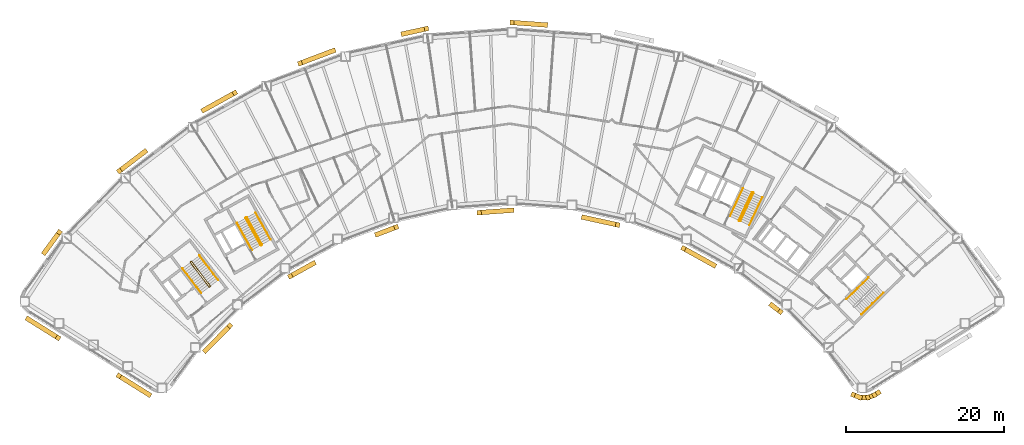
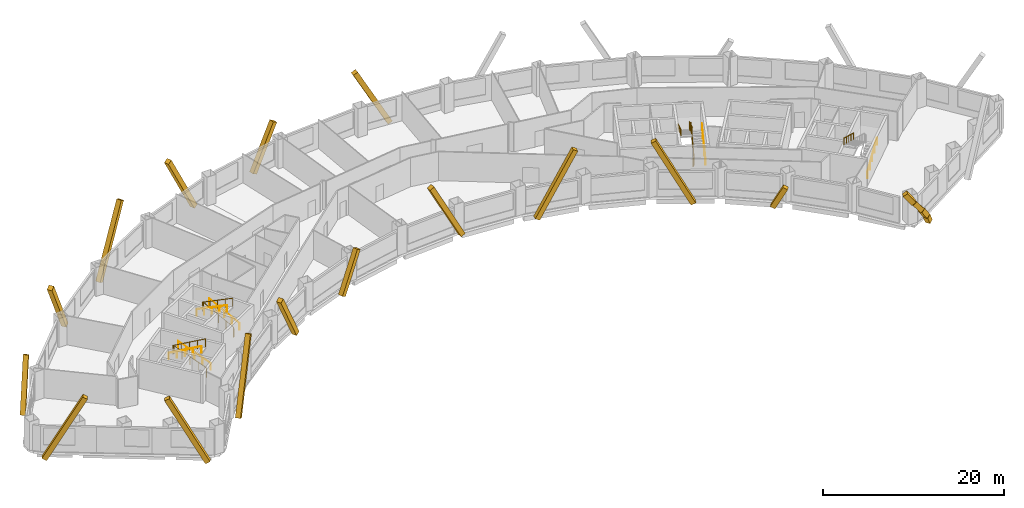
# One storey, part 11 of 12: 19 coverings, 11 railings.
"""IFC4 building model written with IfcOpenShell, lengths in metres."""

from ifc_helpers import new_model, si_unit, direction, frame, origin, origin_2d, place, context, subcontext, project, spatial, rectangle, circle, extrude, material, material_profile, profile_set, type_object, element, save


model = new_model("IFC4")

# Units and contexts
model_context = context("Model", 3, precision=1e-05, world=origin(), true_north=direction((0.0, 1.0)))
body_context = subcontext(model_context, "Body", "Model", "MODEL_VIEW")
ifc_project = project(units=[si_unit("LENGTHUNIT", "METRE"), si_unit("AREAUNIT", "SQUARE_METRE"), si_unit("VOLUMEUNIT", "CUBIC_METRE"), si_unit("PLANEANGLEUNIT", "RADIAN"), si_unit("MASSUNIT", "GRAM", prefix="KILO")], contexts=[model_context])

# Site, building, storey
site_placement = place(None, origin())
site = spatial("IfcSite", under=ifc_project, at=site_placement, CompositionType="ELEMENT")
building_placement = place(site_placement, origin())
building = spatial("IfcBuilding", under=site, at=building_placement, Name="Tuul Gate Civic Tower", CompositionType="ELEMENT")
storey_placement = place(building_placement, frame((0.0, 0.0, 82.199951171875)))
storey = spatial("IfcBuildingStorey", under=building, at=storey_placement, Name="Level 18", CompositionType="ELEMENT", Elevation=82.199951171875)

# Railings
ifc_material_1 = material(Name="Painted steel", Category="steel")
railing_type_1 = type_object("IfcRailingType", Name="Stair guard", PredefinedType="GUARDRAIL", material=ifc_material_1)
railing_1_placement = place(storey_placement, frame((-33.382080078125, -13.515380859375, 0.0)))
element("IfcRailing", 1, at=railing_1_placement, inside=storey, type_object=railing_type_1, Name="Level 18 ST-1 stair guard 1", PredefinedType="GUARDRAIL", context=body_context, shape_type="SweptSolid", body=[
    extrude(circle(Radius=0.02392578125, at=origin_2d()), frame((0.0, 0.0, 1.076171875), z_axis=(-0.795879841968, -0.605454603706, 0.0), x_axis=(0.605454603706, -0.795879841968, 0.0)), (0.0, 0.0, 1.0), 0.10009765625),
    extrude(circle(Radius=0.02392578125, at=origin_2d()), frame((-0.07958984375, -0.060546875, 1.076171875), z_axis=(0.408676696321, 0.599019267211, 0.688592241747), x_axis=(-0.826063974707, 0.563576356576, 0.0)), (0.0, 0.0, 1.0), 0.218017578125),
    extrude(circle(Radius=0.02392578125, at=origin_2d()), frame((0.009521484375, 0.070068359375, 1.22607421875), z_axis=(-0.541824460341, 0.711645023348, 0.447199748346), x_axis=(-0.795637165283, -0.60577347352, 0.0)), (0.0, 0.0, 1.0), 4.3603515625),
    extrude(circle(Radius=0.02392578125, at=origin_2d()), frame((-2.35302734375, 3.173095703125, 3.17626953125), z_axis=(-0.990893089246, 0.134650977284, 0.0), x_axis=(-0.134650977284, -0.990893089246, 0.0)), (0.0, 0.0, 1.0), 0.07080078125),
    extrude(circle(Radius=0.02392578125, at=origin_2d()), frame((-2.423095703125, 3.1826171875, 3.17626953125), z_axis=(-0.793802879778, -0.60817512943, 0.0), x_axis=(0.60817512943, -0.793802879778, 0.0)), (0.0, 0.0, 1.0), 0.099853515625),
    extrude(circle(Radius=0.02392578125, at=origin_2d()), frame((-2.50244140625, 3.121826171875, 3.17626953125), z_axis=(-0.057447065493, -0.422751481959, 0.904423031091), x_axis=(0.990893089246, -0.134650977284, 0.0)), (0.0, 0.0, 1.0), 0.165771484375),
    extrude(circle(Radius=0.02392578125, at=origin_2d()), frame((-2.511962890625, 3.0517578125, 3.326171875), z_axis=(0.541806494602, -0.71163897684, 0.447231136047), x_axis=(0.795644365679, 0.605764016233, 0.0)), (0.0, 0.0, 1.0), 4.360107421875),
    extrude(circle(Radius=0.02099609375, at=origin_2d()), origin(), (0.0, 0.0, 1.0), 1.052001953125),
    extrude(circle(Radius=0.02099609375, at=origin_2d()), frame((-0.07958984375, -0.060546875, 0.0)), (0.0, 0.0, 1.0), 1.052001953125),
    extrude(circle(Radius=0.02099609375, at=origin_2d()), frame((0.009521484375, 0.070068359375, 0.150146484375)), (0.0, 0.0, 1.0), 1.052001953125),
    extrude(circle(Radius=0.02099609375, at=origin_2d()), frame((-0.5810546875, 0.845703125, 0.6376953125)), (0.0, 0.0, 1.0), 1.052001953125),
    extrude(circle(Radius=0.02099609375, at=origin_2d()), frame((-1.171875, 1.62158203125, 1.125)), (0.0, 0.0, 1.0), 1.052001953125),
    extrude(circle(Radius=0.02099609375, at=origin_2d()), frame((-1.762451171875, 2.3974609375, 1.612548828125)), (0.0, 0.0, 1.0), 1.052001953125),
    extrude(circle(Radius=0.02099609375, at=origin_2d()), frame((-2.35302734375, 3.173095703125, 2.10009765625)), (0.0, 0.0, 1.0), 1.052001953125),
    extrude(circle(Radius=0.02099609375, at=origin_2d()), frame((-2.423095703125, 3.1826171875, 2.10009765625)), (0.0, 0.0, 1.0), 1.052001953125),
    extrude(circle(Radius=0.02099609375, at=origin_2d()), frame((-2.50244140625, 3.121826171875, 2.10009765625)), (0.0, 0.0, 1.0), 1.052001953125),
    extrude(circle(Radius=0.02099609375, at=origin_2d()), frame((-2.511962890625, 3.0517578125, 2.25)), (0.0, 0.0, 1.0), 1.052001953125),
    extrude(circle(Radius=0.02099609375, at=origin_2d()), frame((-1.92138671875, 2.276123046875, 2.737548828125)), (0.0, 0.0, 1.0), 1.052001953125),
    extrude(circle(Radius=0.02099609375, at=origin_2d()), frame((-1.330810546875, 1.50048828125, 3.22509765625)), (0.0, 0.0, 1.0), 1.052001953125),
    extrude(circle(Radius=0.02099609375, at=origin_2d()), frame((-0.740234375, 0.724609375, 3.71240234375)), (0.0, 0.0, 1.0), 1.052001953125),
    extrude(circle(Radius=0.02099609375, at=origin_2d()), frame((-0.149658203125, -0.051025390625, 4.199951171875)), (0.0, 0.0, 1.0), 1.052001953125),
])
railing_2_placement = place(storey_placement, frame((-26.857666015625, -8.247314453125, 0.0)))
element("IfcRailing", 2, at=railing_2_placement, inside=storey, type_object=railing_type_1, Name="Level 18 ST-2 stair guard 1", PredefinedType="GUARDRAIL", context=body_context, shape_type="SweptSolid", body=[
    extrude(circle(Radius=0.02392578125, at=origin_2d()), frame((0.0, 0.0, 1.076171875), z_axis=(-0.874616555828, -0.48481530532, 0.0), x_axis=(0.48481530532, -0.874616555828, 0.0)), (0.0, 0.0, 1.0), 0.10009765625),
    extrude(circle(Radius=0.02392578125, at=origin_2d()), frame((-0.087646484375, -0.048583984375, 1.076171875), z_axis=(0.490435707169, 0.534104639999, 0.688625479244), x_axis=(-0.736576986774, 0.676353711126, 0.0)), (0.0, 0.0, 1.0), 0.218017578125),
    extrude(circle(Radius=0.02392578125, at=origin_2d()), frame((0.019287109375, 0.06787109375, 1.22607421875), z_axis=(-0.43354991378, 0.782327185242, 0.447212083348), x_axis=(-0.874667644053, -0.484723129681, 0.0)), (0.0, 0.0, 1.0), 4.3603515625),
    extrude(circle(Radius=0.02392578125, at=origin_2d()), frame((-1.87109375, 3.47900390625, 3.17626953125), z_axis=(-0.961263487578, 0.275631107549, 0.0), x_axis=(-0.275631107549, -0.961263487578, 0.0)), (0.0, 0.0, 1.0), 0.07080078125),
    extrude(circle(Radius=0.02392578125, at=origin_2d()), frame((-1.939208984375, 3.49853515625, 3.17626953125), z_axis=(-0.874042088414, -0.485850211157, 0.0), x_axis=(0.485850211157, -0.874042088414, 0.0)), (0.0, 0.0, 1.0), 0.10009765625),
    extrude(circle(Radius=0.02392578125, at=origin_2d()), frame((-2.026611328125, 3.449951171875, 3.17626953125), z_axis=(-0.117866478395, -0.409586012422, 0.90462522168), x_axis=(0.961000426733, -0.276546885391, 0.0)), (0.0, 0.0, 1.0), 0.165771484375),
    extrude(circle(Radius=0.02392578125, at=origin_2d()), frame((-2.046142578125, 3.382080078125, 3.326171875), z_axis=(0.433595379963, -0.782308193291, 0.447201226726), x_axis=(0.874641102302, 0.484771020343, 0.0)), (0.0, 0.0, 1.0), 4.3603515625),
    extrude(circle(Radius=0.02099609375, at=origin_2d()), origin(), (0.0, 0.0, 1.0), 1.052001953125),
    extrude(circle(Radius=0.02099609375, at=origin_2d()), frame((-0.087646484375, -0.048583984375, 0.0)), (0.0, 0.0, 1.0), 1.052001953125),
    extrude(circle(Radius=0.02099609375, at=origin_2d()), frame((0.019287109375, 0.06787109375, 0.150146484375)), (0.0, 0.0, 1.0), 1.052001953125),
    extrude(circle(Radius=0.02099609375, at=origin_2d()), frame((-0.453369140625, 0.920654296875, 0.6376953125)), (0.0, 0.0, 1.0), 1.052001953125),
    extrude(circle(Radius=0.02099609375, at=origin_2d()), frame((-0.92578125, 1.7734375, 1.125)), (0.0, 0.0, 1.0), 1.052001953125),
    extrude(circle(Radius=0.02099609375, at=origin_2d()), frame((-1.3984375, 2.626220703125, 1.612548828125)), (0.0, 0.0, 1.0), 1.052001953125),
    extrude(circle(Radius=0.02099609375, at=origin_2d()), frame((-1.87109375, 3.47900390625, 2.10009765625)), (0.0, 0.0, 1.0), 1.052001953125),
    extrude(circle(Radius=0.02099609375, at=origin_2d()), frame((-1.939208984375, 3.49853515625, 2.10009765625)), (0.0, 0.0, 1.0), 1.052001953125),
    extrude(circle(Radius=0.02099609375, at=origin_2d()), frame((-2.026611328125, 3.449951171875, 2.10009765625)), (0.0, 0.0, 1.0), 1.052001953125),
    extrude(circle(Radius=0.02099609375, at=origin_2d()), frame((-2.046142578125, 3.382080078125, 2.25)), (0.0, 0.0, 1.0), 1.052001953125),
    extrude(circle(Radius=0.02099609375, at=origin_2d()), frame((-1.573486328125, 2.529296875, 2.737548828125)), (0.0, 0.0, 1.0), 1.052001953125),
    extrude(circle(Radius=0.02099609375, at=origin_2d()), frame((-1.100830078125, 1.676513671875, 3.22509765625)), (0.0, 0.0, 1.0), 1.052001953125),
    extrude(circle(Radius=0.02099609375, at=origin_2d()), frame((-0.628173828125, 0.82373046875, 3.71240234375)), (0.0, 0.0, 1.0), 1.052001953125),
    extrude(circle(Radius=0.02099609375, at=origin_2d()), frame((-0.155517578125, -0.029052734375, 4.199951171875)), (0.0, 0.0, 1.0), 1.052001953125),
])
railing_3_placement = place(storey_placement, frame((33.645751953125, -5.238525390625, 0.0)))
element("IfcRailing", 3, at=railing_3_placement, inside=storey, type_object=railing_type_1, Name="Level 18 ST-4 stair guard 1", PredefinedType="GUARDRAIL", context=body_context, shape_type="SweptSolid", body=[
    extrude(circle(Radius=0.02392578125, at=origin_2d()), frame((0.0, 0.0, 1.076171875), z_axis=(-0.906307919131, 0.422617978463, 0.0), x_axis=(-0.422617978463, -0.906307919131, 0.0)), (0.0, 0.0, 1.0), 0.099853515625),
    extrude(circle(Radius=0.02392578125, at=origin_2d()), frame((-0.090576171875, 0.042236328125, 1.076171875), z_axis=(0.720179819621, -0.082882280952, 0.688818956559), x_axis=(0.114330889033, 0.993442724979, 0.0)), (0.0, 0.0, 1.0), 0.218017578125),
    extrude(circle(Radius=0.02392578125, at=origin_2d()), frame((0.06640625, 0.024169921875, 1.22607421875), z_axis=(0.377946903738, 0.810654114417, 0.447209173356), x_axis=(-0.906336612539, 0.422556439746, 0.0)), (0.0, 0.0, 1.0), 4.3603515625),
    extrude(circle(Radius=0.02392578125, at=origin_2d()), frame((1.71435546875, 3.558837890625, 3.17626953125), z_axis=(-0.342020437038, 0.939692513883, 0.0), x_axis=(-0.939692513883, -0.342020437038, 0.0)), (0.0, 0.0, 1.0), 0.070556640625),
    extrude(circle(Radius=0.02392578125, at=origin_2d()), frame((1.690185546875, 3.625244140625, 3.17626953125), z_axis=(-0.906307919131, 0.422617978463, 0.0), x_axis=(-0.422617978463, -0.906307919131, 0.0)), (0.0, 0.0, 1.0), 0.099853515625),
    extrude(circle(Radius=0.02392578125, at=origin_2d()), frame((1.599609375, 3.66748046875, 3.17626953125), z_axis=(-0.40070210376, -0.145843780413, 0.904526072458), x_axis=(0.342020437038, -0.939692513883, 0.0)), (0.0, 0.0, 1.0), 0.165771484375),
    extrude(circle(Radius=0.02392578125, at=origin_2d()), frame((1.533203125, 3.643310546875, 3.326171875), z_axis=(-0.377946903738, -0.810654114417, 0.447209173356), x_axis=(0.906336612539, -0.422556439746, 0.0)), (0.0, 0.0, 1.0), 4.3603515625),
    extrude(circle(Radius=0.02099609375, at=origin_2d()), origin(), (0.0, 0.0, 1.0), 1.052001953125),
    extrude(circle(Radius=0.02099609375, at=origin_2d()), frame((-0.090576171875, 0.042236328125, 0.0)), (0.0, 0.0, 1.0), 1.052001953125),
    extrude(circle(Radius=0.02099609375, at=origin_2d()), frame((0.06640625, 0.024169921875, 0.150146484375)), (0.0, 0.0, 1.0), 1.052001953125),
    extrude(circle(Radius=0.02099609375, at=origin_2d()), frame((0.478515625, 0.90771484375, 0.6376953125)), (0.0, 0.0, 1.0), 1.052001953125),
    extrude(circle(Radius=0.02099609375, at=origin_2d()), frame((0.890380859375, 1.79150390625, 1.125)), (0.0, 0.0, 1.0), 1.052001953125),
    extrude(circle(Radius=0.02099609375, at=origin_2d()), frame((1.30224609375, 2.67529296875, 1.612548828125)), (0.0, 0.0, 1.0), 1.052001953125),
    extrude(circle(Radius=0.02099609375, at=origin_2d()), frame((1.71435546875, 3.558837890625, 2.10009765625)), (0.0, 0.0, 1.0), 1.052001953125),
    extrude(circle(Radius=0.02099609375, at=origin_2d()), frame((1.690185546875, 3.625244140625, 2.10009765625)), (0.0, 0.0, 1.0), 1.052001953125),
    extrude(circle(Radius=0.02099609375, at=origin_2d()), frame((1.599609375, 3.66748046875, 2.10009765625)), (0.0, 0.0, 1.0), 1.052001953125),
    extrude(circle(Radius=0.02099609375, at=origin_2d()), frame((1.533203125, 3.643310546875, 2.25)), (0.0, 0.0, 1.0), 1.052001953125),
    extrude(circle(Radius=0.02099609375, at=origin_2d()), frame((1.12109375, 2.759765625, 2.737548828125)), (0.0, 0.0, 1.0), 1.052001953125),
    extrude(circle(Radius=0.02099609375, at=origin_2d()), frame((0.709228515625, 1.8759765625, 3.22509765625)), (0.0, 0.0, 1.0), 1.052001953125),
    extrude(circle(Radius=0.02099609375, at=origin_2d()), frame((0.29736328125, 0.9921875, 3.71240234375)), (0.0, 0.0, 1.0), 1.052001953125),
    extrude(circle(Radius=0.02099609375, at=origin_2d()), frame((-0.11474609375, 0.108642578125, 4.199951171875)), (0.0, 0.0, 1.0), 1.052001953125),
])
ifc_material_2 = material(Name="Painted steel", Category="steel")
railing_type_2 = type_object("IfcRailingType", Name="Stair handrail", PredefinedType="HANDRAIL", material=ifc_material_2)
railing_4_placement = place(storey_placement, frame((-32.3779296875, -12.688232421875, 0.150146484375)))
element("IfcRailing", 4, at=railing_4_placement, inside=storey, type_object=railing_type_2, Name="Level 18 ST-1 stair handrail 1", PredefinedType="HANDRAIL", context=body_context, shape_type="SweptSolid", body=[
    extrude(circle(Radius=0.02392578125, at=origin_2d()), frame((0.0, 0.0, 0.8759765625), z_axis=(-0.541824460341, 0.711645023348, 0.447199748346), x_axis=(-0.795637165283, -0.60577347352, 0.0)), (0.0, 0.0, 1.0), 4.3603515625),
    extrude(circle(Radius=0.02099609375, at=origin_2d()), origin(), (0.0, 0.0, 1.0), 0.851806640625),
    extrude(circle(Radius=0.02099609375, at=origin_2d()), frame((-0.590576171875, 0.77587890625, 0.487548828125)), (0.0, 0.0, 1.0), 0.851806640625),
    extrude(circle(Radius=0.02099609375, at=origin_2d()), frame((-1.18115234375, 1.551513671875, 0.97509765625)), (0.0, 0.0, 1.0), 0.851806640625),
    extrude(circle(Radius=0.02099609375, at=origin_2d()), frame((-1.77197265625, 2.3271484375, 1.46240234375)), (0.0, 0.0, 1.0), 0.851806640625),
    extrude(circle(Radius=0.02099609375, at=origin_2d()), frame((-2.362548828125, 3.10302734375, 1.949951171875)), (0.0, 0.0, 1.0), 0.851806640625),
])
railing_5_placement = place(storey_placement, frame((-36.888671875, -11.220703125, 2.25)))
element("IfcRailing", 5, at=railing_5_placement, inside=storey, type_object=railing_type_2, Name="Level 18 ST-1 stair handrail 2", PredefinedType="HANDRAIL", context=body_context, shape_type="SweptSolid", body=[
    extrude(circle(Radius=0.02392578125, at=origin_2d()), frame((0.0, 0.0, 0.8759765625), z_axis=(0.541824460341, -0.711645023348, 0.447199748346), x_axis=(0.795637165283, 0.60577347352, 0.0)), (0.0, 0.0, 1.0), 4.3603515625),
    extrude(circle(Radius=0.02099609375, at=origin_2d()), origin(), (0.0, 0.0, 1.0), 0.851806640625),
    extrude(circle(Radius=0.02099609375, at=origin_2d()), frame((0.590576171875, -0.77587890625, 0.487548828125)), (0.0, 0.0, 1.0), 0.851806640625),
    extrude(circle(Radius=0.02099609375, at=origin_2d()), frame((1.18115234375, -1.551513671875, 0.97509765625)), (0.0, 0.0, 1.0), 0.851806640625),
    extrude(circle(Radius=0.02099609375, at=origin_2d()), frame((1.77197265625, -2.3271484375, 1.46240234375)), (0.0, 0.0, 1.0), 0.851806640625),
    extrude(circle(Radius=0.02099609375, at=origin_2d()), frame((2.362548828125, -3.10302734375, 1.949951171875)), (0.0, 0.0, 1.0), 0.851806640625),
])
railing_6_placement = place(storey_placement, frame((-25.744873046875, -7.573486328125, 0.150146484375)))
element("IfcRailing", 6, at=railing_6_placement, inside=storey, type_object=railing_type_2, Name="Level 18 ST-2 stair handrail 1", PredefinedType="HANDRAIL", context=body_context, shape_type="SweptSolid", body=[
    extrude(circle(Radius=0.02392578125, at=origin_2d()), frame((0.0, 0.0, 0.8759765625), z_axis=(-0.433595379963, 0.782308193291, 0.447201226726), x_axis=(-0.874641102302, -0.484771020343, 0.0)), (0.0, 0.0, 1.0), 4.3603515625),
    extrude(circle(Radius=0.02099609375, at=origin_2d()), origin(), (0.0, 0.0, 1.0), 0.851806640625),
    extrude(circle(Radius=0.02099609375, at=origin_2d()), frame((-0.47265625, 0.852783203125, 0.487548828125)), (0.0, 0.0, 1.0), 0.851806640625),
    extrude(circle(Radius=0.02099609375, at=origin_2d()), frame((-0.9453125, 1.70556640625, 0.97509765625)), (0.0, 0.0, 1.0), 0.851806640625),
    extrude(circle(Radius=0.02099609375, at=origin_2d()), frame((-1.41796875, 2.558349609375, 1.46240234375)), (0.0, 0.0, 1.0), 0.851806640625),
    extrude(circle(Radius=0.02099609375, at=origin_2d()), frame((-1.890625, 3.4111328125, 1.949951171875)), (0.0, 0.0, 1.0), 0.851806640625),
])
railing_7_placement = place(storey_placement, frame((-29.9970703125, -5.47119140625, 2.25)))
element("IfcRailing", 7, at=railing_7_placement, inside=storey, type_object=railing_type_2, Name="Level 18 ST-2 stair handrail 2", PredefinedType="HANDRAIL", context=body_context, shape_type="SweptSolid", body=[
    extrude(circle(Radius=0.02392578125, at=origin_2d()), frame((0.0, 0.0, 0.8759765625), z_axis=(0.433595379963, -0.782308193291, 0.447201226726), x_axis=(0.874641102302, 0.484771020343, 0.0)), (0.0, 0.0, 1.0), 4.3603515625),
    extrude(circle(Radius=0.02099609375, at=origin_2d()), origin(), (0.0, 0.0, 1.0), 0.851806640625),
    extrude(circle(Radius=0.02099609375, at=origin_2d()), frame((0.47265625, -0.852783203125, 0.487548828125)), (0.0, 0.0, 1.0), 0.851806640625),
    extrude(circle(Radius=0.02099609375, at=origin_2d()), frame((0.9453125, -1.70556640625, 0.97509765625)), (0.0, 0.0, 1.0), 0.851806640625),
    extrude(circle(Radius=0.02099609375, at=origin_2d()), frame((1.41796875, -2.558349609375, 1.46240234375)), (0.0, 0.0, 1.0), 0.851806640625),
    extrude(circle(Radius=0.02099609375, at=origin_2d()), frame((1.890625, -3.4111328125, 1.949951171875)), (0.0, 0.0, 1.0), 0.851806640625),
])
railing_8_placement = place(storey_placement, frame((49.05126953125, -17.028076171875, 0.150146484375)))
element("IfcRailing", 8, at=railing_8_placement, inside=storey, type_object=railing_type_2, Name="Level 18 ST-3 stair handrail 1", PredefinedType="HANDRAIL", context=body_context, shape_type="SweptSolid", body=[
    extrude(circle(Radius=0.02392578125, at=origin_2d()), frame((0.0, 0.0, 0.8759765625), z_axis=(0.638753653487, 0.626099522554, 0.447205945863), x_axis=(-0.699997553204, 0.714145241186, 0.0)), (0.0, 0.0, 1.0), 4.3603515625),
    extrude(circle(Radius=0.02099609375, at=origin_2d()), origin(), (0.0, 0.0, 1.0), 0.851806640625),
    extrude(circle(Radius=0.02099609375, at=origin_2d()), frame((0.6962890625, 0.6826171875, 0.487548828125)), (0.0, 0.0, 1.0), 0.851806640625),
    extrude(circle(Radius=0.02099609375, at=origin_2d()), frame((1.392578125, 1.364990234375, 0.97509765625)), (0.0, 0.0, 1.0), 0.851806640625),
    extrude(circle(Radius=0.02099609375, at=origin_2d()), frame((2.0888671875, 2.04736328125, 1.46240234375)), (0.0, 0.0, 1.0), 0.851806640625),
    extrude(circle(Radius=0.02099609375, at=origin_2d()), frame((2.78515625, 2.72998046875, 1.949951171875)), (0.0, 0.0, 1.0), 0.851806640625),
])
railing_9_placement = place(storey_placement, frame((49.9462890625, -12.369873046875, 2.25)))
element("IfcRailing", 9, at=railing_9_placement, inside=storey, type_object=railing_type_2, Name="Level 18 ST-3 stair handrail 2", PredefinedType="HANDRAIL", context=body_context, shape_type="SweptSolid", body=[
    extrude(circle(Radius=0.02392578125, at=origin_2d()), frame((0.0, 0.0, 0.8759765625), z_axis=(-0.638753653487, -0.626099522554, 0.447205945863), x_axis=(0.699997553204, -0.714145241186, 0.0)), (0.0, 0.0, 1.0), 4.3603515625),
    extrude(circle(Radius=0.02099609375, at=origin_2d()), origin(), (0.0, 0.0, 1.0), 0.851806640625),
    extrude(circle(Radius=0.02099609375, at=origin_2d()), frame((-0.6962890625, -0.6826171875, 0.487548828125)), (0.0, 0.0, 1.0), 0.851806640625),
    extrude(circle(Radius=0.02099609375, at=origin_2d()), frame((-1.392578125, -1.364990234375, 0.97509765625)), (0.0, 0.0, 1.0), 0.851806640625),
    extrude(circle(Radius=0.02099609375, at=origin_2d()), frame((-2.0888671875, -2.04736328125, 1.46240234375)), (0.0, 0.0, 1.0), 0.851806640625),
    extrude(circle(Radius=0.02099609375, at=origin_2d()), frame((-2.78515625, -2.72998046875, 1.949951171875)), (0.0, 0.0, 1.0), 0.851806640625),
])
railing_10_placement = place(storey_placement, frame((34.844970703125, -5.74267578125, 0.150146484375)))
element("IfcRailing", 10, at=railing_10_placement, inside=storey, type_object=railing_type_2, Name="Level 18 ST-4 stair handrail 1", PredefinedType="HANDRAIL", context=body_context, shape_type="SweptSolid", body=[
    extrude(circle(Radius=0.02392578125, at=origin_2d()), frame((0.0, 0.0, 0.8759765625), z_axis=(0.377994896215, 0.810636958585, 0.447199709091), x_axis=(-0.906312636903, 0.422607861012, 0.0)), (0.0, 0.0, 1.0), 4.3603515625),
    extrude(circle(Radius=0.02099609375, at=origin_2d()), origin(), (0.0, 0.0, 1.0), 0.851806640625),
    extrude(circle(Radius=0.02099609375, at=origin_2d()), frame((0.412109375, 0.8837890625, 0.487548828125)), (0.0, 0.0, 1.0), 0.851806640625),
    extrude(circle(Radius=0.02099609375, at=origin_2d()), frame((0.82421875, 1.767333984375, 0.97509765625)), (0.0, 0.0, 1.0), 0.851806640625),
    extrude(circle(Radius=0.02099609375, at=origin_2d()), frame((1.236083984375, 2.65087890625, 1.46240234375)), (0.0, 0.0, 1.0), 0.851806640625),
    extrude(circle(Radius=0.02099609375, at=origin_2d()), frame((1.648193359375, 3.53466796875, 1.949951171875)), (0.0, 0.0, 1.0), 0.851806640625),
])
railing_11_placement = place(storey_placement, frame((34.046142578125, -1.06689453125, 2.25)))
element("IfcRailing", 11, at=railing_11_placement, inside=storey, type_object=railing_type_2, Name="Level 18 ST-4 stair handrail 2", PredefinedType="HANDRAIL", context=body_context, shape_type="SweptSolid", body=[
    extrude(circle(Radius=0.02392578125, at=origin_2d()), frame((0.0, 0.0, 0.8759765625), z_axis=(-0.377994896215, -0.810636958585, 0.447199709091), x_axis=(0.906312636903, -0.422607861012, 0.0)), (0.0, 0.0, 1.0), 4.3603515625),
    extrude(circle(Radius=0.02099609375, at=origin_2d()), origin(), (0.0, 0.0, 1.0), 0.851806640625),
    extrude(circle(Radius=0.02099609375, at=origin_2d()), frame((-0.412109375, -0.8837890625, 0.487548828125)), (0.0, 0.0, 1.0), 0.851806640625),
    extrude(circle(Radius=0.02099609375, at=origin_2d()), frame((-0.82421875, -1.767333984375, 0.97509765625)), (0.0, 0.0, 1.0), 0.851806640625),
    extrude(circle(Radius=0.02099609375, at=origin_2d()), frame((-1.236083984375, -2.65087890625, 1.46240234375)), (0.0, 0.0, 1.0), 0.851806640625),
    extrude(circle(Radius=0.02099609375, at=origin_2d()), frame((-1.648193359375, -3.53466796875, 1.949951171875)), (0.0, 0.0, 1.0), 0.851806640625),
])

# Coverings
ifc_material_3 = material(Name="Terracotta baguette", Category="masonry")
ifc_material_profile = material_profile(ifc_material_3, rectangle(XDim=0.60009765625, YDim=0.60009765625, at=origin_2d()), Name="Terracotta baguette screen frame")
ifc_profile_set = profile_set([ifc_material_profile], Name="Terracotta baguette")
covering_type = type_object("IfcCoveringType", Name="Terracotta baguette screen frame", PredefinedType="CLADDING", material=ifc_profile_set)
covering_1_placement = place(storey_placement, frame((4.80810546875, 19.909912109375, 7.552734375), z_axis=(0.473916402308, -0.034305523673, -0.879901343714), x_axis=(0.072198379496, 0.99739029171, 0.0)))
element("IfcCovering", 12, at=covering_1_placement, inside=storey, type_object=covering_type, Name="Baguette 77", PredefinedType="CLADDING", context=body_context, shape_type="SweptSolid", body=[
    extrude(rectangle(XDim=0.60009765625, YDim=0.60009765625, at=origin_2d()), origin(), (0.0, 0.0, 1.0), 8.981201171875),
])
covering_2_placement = place(storey_placement, frame((-6.014404296875, 19.126220703125, 5.25439453125), z_axis=(-0.464037359849, -0.102267609126, -0.879892416599), x_axis=(0.21522186499, -0.976565178997, 0.0)))
element("IfcCovering", 13, at=covering_2_placement, inside=storey, type_object=covering_type, Name="Baguette 84", PredefinedType="CLADDING", context=body_context, shape_type="SweptSolid", body=[
    extrude(rectangle(XDim=0.60009765625, YDim=0.60009765625, at=origin_2d()), origin(), (0.0, 0.0, 1.0), 6.369140625),
])
covering_3_placement = place(storey_placement, frame((-22.021240234375, 14.744873046875, 8.050048828125), z_axis=(0.444449007562, 0.168071746228, -0.879895998284), x_axis=(-0.353711403676, 0.935354608108, 0.0)))
element("IfcCovering", 14, at=covering_3_placement, inside=storey, type_object=covering_type, Name="Baguette 98", PredefinedType="CLADDING", context=body_context, shape_type="SweptSolid", body=[
    extrude(rectangle(XDim=0.60009765625, YDim=0.60009765625, at=origin_2d()), origin(), (0.0, 0.0, 1.0), 9.54638671875),
])
covering_4_placement = place(storey_placement, frame((-30.263916015625, 11.0107421875, 8.050048828125), z_axis=(-0.415599156496, -0.23036842051, -0.879890750009), x_axis=(0.484806475071, -0.874621450531, 0.0)))
element("IfcCovering", 15, at=covering_4_placement, inside=storey, type_object=covering_type, Name="Baguette 103", PredefinedType="CLADDING", context=body_context, shape_type="SweptSolid", body=[
    extrude(rectangle(XDim=0.60009765625, YDim=0.60009765625, at=origin_2d()), origin(), (0.0, 0.0, 1.0), 9.546630859375),
])
covering_5_placement = place(storey_placement, frame((-44.885498046875, 1.117919921875, 7.222412109375), z_axis=(0.378046563043, 0.287861209305, -0.879895857672), x_axis=(-0.605811142547, 0.795608483845, 0.0)))
element("IfcCovering", 16, at=covering_5_placement, inside=storey, type_object=covering_type, Name="Baguette 119", PredefinedType="CLADDING", context=body_context, shape_type="SweptSolid", body=[
    extrude(rectangle(XDim=0.60009765625, YDim=0.60009765625, at=origin_2d()), origin(), (0.0, 0.0, 1.0), 8.60595703125),
])
covering_6_placement = place(storey_placement, frame((-52.481689453125, -6.630859375, 5.58447265625), z_axis=(-0.281340442681, -0.385256704378, -0.878877026121), x_axis=(0.807584108669, -0.589752411971, 0.0)))
element("IfcCovering", 17, at=covering_6_placement, inside=storey, type_object=covering_type, Name="Baguette 126", PredefinedType="CLADDING", context=body_context, shape_type="SweptSolid", body=[
    extrude(rectangle(XDim=0.60009765625, YDim=0.60009765625, at=origin_2d()), origin(), (0.0, 0.0, 1.0), 6.752197265625),
])
for number, where, z_axis, x_axis, name in (
    (18, (-52.63720703125, -20.0029296875, 8.050048828125), (-0.402314470661, 0.251382579131, -0.8803123682), (-0.529901976461, -0.848058898511, 0.0), "Baguette 151"),
    (19, (-44.9599609375, -24.80029296875, 8.050048828125), (0.402314470661, -0.251382579131, -0.8803123682), (0.529901976461, 0.848058898511, 0.0), "Baguette 155"),
):
    element("IfcCovering", number, at=place(storey_placement, frame(where, z_axis=z_axis, x_axis=x_axis)), inside=storey, type_object=covering_type, Name=name, PredefinedType="CLADDING", context=body_context, shape_type="SweptSolid", body=[
        extrude(rectangle(XDim=0.60009765625, YDim=0.60009765625, at=origin_2d()), origin(), (0.0, 0.0, 1.0), 9.5419921875),
    ])
covering_7_placement = place(storey_placement, frame((-30.899658203125, -18.470703125, 8.050048828125), z_axis=(-0.326356322385, -0.332861849455, -0.884700254333), x_axis=(0.714050130155, -0.700094573344, 0.0)))
element("IfcCovering", 20, at=covering_7_placement, inside=storey, type_object=covering_type, Name="Baguette 183", PredefinedType="CLADDING", context=body_context, shape_type="SweptSolid", body=[
    extrude(rectangle(XDim=0.60009765625, YDim=0.60009765625, at=origin_2d()), origin(), (0.0, 0.0, 1.0), 9.49462890625),
])
covering_8_placement = place(storey_placement, frame((-23.260986328125, -12.20458984375, 6.06201171875), z_axis=(0.407733343986, 0.225998265433, -0.884691078413), x_axis=(-0.48478990003, 0.874630637943, 0.0)))
element("IfcCovering", 21, at=covering_8_placement, inside=storey, type_object=covering_type, Name="Baguette 191", PredefinedType="CLADDING", context=body_context, shape_type="SweptSolid", body=[
    extrude(rectangle(XDim=0.60009765625, YDim=0.60009765625, at=origin_2d()), origin(), (0.0, 0.0, 1.0), 7.24755859375),
])
covering_9_placement = place(storey_placement, frame((-9.83447265625, -5.984619140625, 4.594970703125), z_axis=(-0.436053033654, -0.164890333772, -0.88468578019), x_axis=(0.353699371155, -0.935359158209, 0.0)))
element("IfcCovering", 22, at=covering_9_placement, inside=storey, type_object=covering_type, Name="Baguette 209", PredefinedType="CLADDING", context=body_context, shape_type="SweptSolid", body=[
    extrude(rectangle(XDim=0.60009765625, YDim=0.60009765625, at=origin_2d()), origin(), (0.0, 0.0, 1.0), 5.58935546875),
])
covering_10_placement = place(storey_placement, frame((0.655517578125, -4.15283203125, 8.050048828125), z_axis=(0.46493127376, 0.03367601442, -0.884706073638), x_axis=(-0.072242980808, 0.99738706214, 0.0)))
element("IfcCovering", 23, at=covering_10_placement, inside=storey, type_object=covering_type, Name="Baguette 216", PredefinedType="CLADDING", context=body_context, shape_type="SweptSolid", body=[
    extrude(rectangle(XDim=0.60009765625, YDim=0.60009765625, at=origin_2d()), origin(), (0.0, 0.0, 1.0), 8.931640625),
])
for number, where, z_axis, x_axis, name in (
    (24, (18.185546875, -5.705810546875, 8.050048828125), (-0.455234189587, 0.100308889154, -0.884703317156), (-0.215183772558, -0.976573573279, 0.0), "Baguette 232"),
    (25, (26.51025390625, -8.675537109375, 8.050048828125), (0.407692626751, -0.225998769884, -0.884709714033), (0.484827764604, 0.874609649312, 0.0), "Baguette 238"),
):
    element("IfcCovering", number, at=place(storey_placement, frame(where, z_axis=z_axis, x_axis=x_axis)), inside=storey, type_object=covering_type, Name=name, PredefinedType="CLADDING", context=body_context, shape_type="SweptSolid", body=[
        extrude(rectangle(XDim=0.60009765625, YDim=0.60009765625, at=origin_2d()), origin(), (0.0, 0.0, 1.0), 9.49462890625),
    ])
covering_11_placement = place(storey_placement, frame((38.7783203125, -16.69873046875, 2.343994140625), z_axis=(-0.370838431522, 0.282398476934, -0.884720271008), x_axis=(-0.60584625249, -0.795581748372, 0.0)))
element("IfcCovering", 26, at=covering_11_placement, inside=storey, type_object=covering_type, Name="Baguette 255", PredefinedType="CLADDING", context=body_context, shape_type="SweptSolid", body=[
    extrude(rectangle(XDim=0.60009765625, YDim=0.60009765625, at=origin_2d()), origin(), (0.0, 0.0, 1.0), 3.044921875),
])
covering_12_placement = place(storey_placement, frame((47.974853515625, -27.19140625, 4.61083984375), z_axis=(0.559872215963, -0.223011482189, -0.798003120673), x_axis=(0.370049373719, 0.929012088732, 0.0)))
element("IfcCovering", 27, at=covering_12_placement, inside=storey, type_object=covering_type, Name="Baguette 272", PredefinedType="CLADDING", context=body_context, shape_type="SweptSolid", body=[
    extrude(rectangle(XDim=0.60009765625, YDim=0.60009765625, at=origin_2d()), origin(), (0.0, 0.0, 1.0), 1.61474609375),
])
covering_13_placement = place(storey_placement, frame((48.87890625, -27.551513671875, 3.322265625), z_axis=(0.602872719251, -0.001813605573, -0.797835318357), x_axis=(0.003008259138, 0.999995475178, 0.0)))
element("IfcCovering", 28, at=covering_13_placement, inside=storey, type_object=covering_type, Name="Baguette 273", PredefinedType="CLADDING", context=body_context, shape_type="SweptSolid", body=[
    extrude(rectangle(XDim=0.60009765625, YDim=0.60009765625, at=origin_2d()), origin(), (0.0, 0.0, 1.0), 1.615478515625),
])
covering_14_placement = place(storey_placement, frame((49.852783203125, -27.554443359375, 2.033447265625), z_axis=(0.534010599825, 0.208015756909, -0.819488940836), x_axis=(-0.362969067807, 0.931801188997, 0.0)))
element("IfcCovering", 29, at=covering_14_placement, inside=storey, type_object=covering_type, Name="Baguette 274", PredefinedType="CLADDING", context=body_context, shape_type="SweptSolid", body=[
    extrude(rectangle(XDim=0.60009765625, YDim=0.60009765625, at=origin_2d()), origin(), (0.0, 0.0, 1.0), 1.57275390625),
])
covering_15_placement = place(storey_placement, frame((50.692626953125, -27.227294921875, 0.74462890625), z_axis=(0.402516822649, 0.251327577068, -0.880235568748), x_axis=(-0.529626959981, 0.848230678095, 0.0)))
element("IfcCovering", 30, at=covering_15_placement, inside=storey, type_object=covering_type, Name="Baguette 275", PredefinedType="CLADDING", context=body_context, shape_type="SweptSolid", body=[
    extrude(rectangle(XDim=0.60009765625, YDim=0.60009765625, at=origin_2d()), origin(), (0.0, 0.0, 1.0), 1.243408203125),
])

save(model, "model.ifc")
